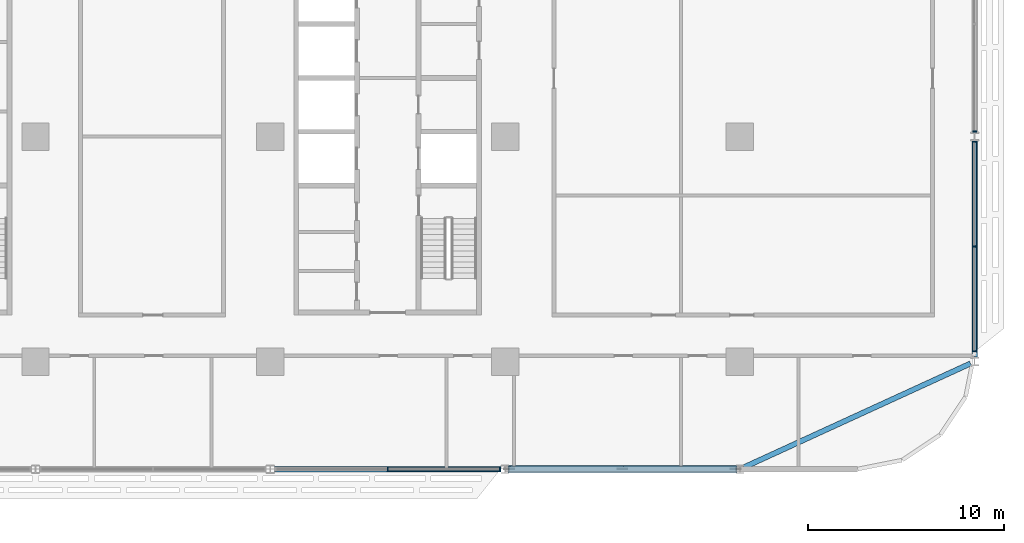
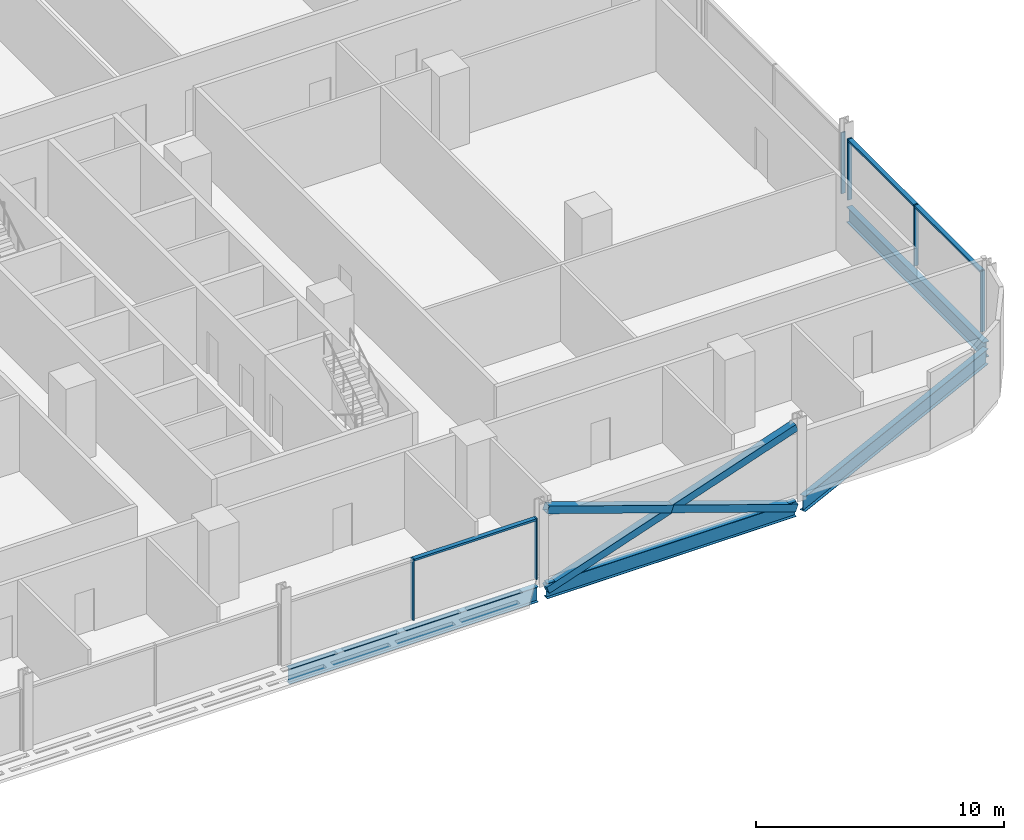
# One storey, part 8 of 29: 12 members, 4 beams, 3 elements without a shape of their own.
"""IFC4 building model written with IfcOpenShell, lengths in metres."""

from ifc_helpers import new_model, si_unit, direction, frame, origin, origin_2d, place, context, subcontext, project, spatial, rectangle, hollow_rectangle, i_section, extrude, material, material_profile, profile_set, type_object, element, aggregate, save


model = new_model("IFC4")

# Units and contexts
model_context = context("Model", 3, precision=1e-05, world=origin(), true_north=direction((0.0, 1.0)))
body_context = subcontext(model_context, "Body", "Model", "MODEL_VIEW")
ifc_project = project(units=[si_unit("LENGTHUNIT", "METRE"), si_unit("AREAUNIT", "SQUARE_METRE"), si_unit("VOLUMEUNIT", "CUBIC_METRE"), si_unit("PLANEANGLEUNIT", "RADIAN"), si_unit("MASSUNIT", "GRAM", prefix="KILO")], contexts=[model_context])

# Site, building, storey
site_placement = place(None, origin())
site = spatial("IfcSite", under=ifc_project, at=site_placement, CompositionType="ELEMENT")
building_placement = place(site_placement, origin())
building = spatial("IfcBuilding", under=site, at=building_placement, Name="Mahtab Terrace Research Tower", CompositionType="ELEMENT")
storey_placement = place(building_placement, frame((0.0, 0.0, 88.89990234375)))
storey = spatial("IfcBuildingStorey", under=building, at=storey_placement, Name="L20", CompositionType="ELEMENT", Elevation=88.89990234375)

# Members
ifc_material_1 = material(Name="Steel ASTM A500 Gr C", Category="steel")
ifc_material_profile_1 = material_profile(ifc_material_1, hollow_rectangle(XDim=0.355712890625, YDim=0.355712890625, WallThickness=0.01904296875, at=origin_2d()), Name="HSS14X14X3/4")
ifc_profile_set_1 = profile_set([ifc_material_profile_1], Name="Steel ASTM A500 Gr C")
member_type_1 = type_object("IfcMemberType", Name="HSS 14x14x3/4 brace XB141434", PredefinedType="BRACE", material=ifc_profile_set_1)
member_1_placement = place(storey_placement, frame((30.20947265625, -17.0, -0.646728515625), z_axis=(0.946292853795, 0.0, 0.323310740397), x_axis=(0.0, 1.0, 0.0)))
element("IfcMember", 1, at=member_1_placement, inside=storey, type_object=member_type_1, Name="Exoskeleton brace L20 18 a", PredefinedType="BRACE", context=body_context, shape_type="SweptSolid", body=[
    extrude(hollow_rectangle(XDim=0.355712890625, YDim=0.355712890625, WallThickness=0.01904296875, at=origin_2d()), origin(), (0.0, 0.0, 1.0), 12.23828125),
])
for number, where, z_axis, x_axis, name in (
    (2, (41.79052734375, -17.0, -0.646728515625), (-0.946298956945, 0.0, 0.323292876639), (0.0, -1.0, 0.0), "Exoskeleton brace L20 18 b1"),
    (3, (36.0, -17.0, 1.33154296875), (-0.946286750388, 0.0, 0.323328603809), (0.0, -1.0, 0.0), "Exoskeleton brace L20 18 b2"),
):
    element("IfcMember", number, at=place(storey_placement, frame(where, z_axis=z_axis, x_axis=x_axis)), inside=storey, type_object=member_type_1, Name=name, PredefinedType="BRACE", context=body_context, shape_type="SweptSolid", body=[
        extrude(hollow_rectangle(XDim=0.355712890625, YDim=0.355712890625, WallThickness=0.01904296875, at=origin_2d()), origin(), (0.0, 0.0, 1.0), 6.119140625),
    ])

# Curtain wall, members
ifc_material_2 = material(Name="Laboratory ribbon curtain wall")
curtain_wall_type = type_object("IfcCurtainWallType", Name="Laboratory ribbon curtain wall", PredefinedType="NOTDEFINED", material=ifc_material_2)
curtain_wall_1_placement = place(storey_placement, origin())
curtain_wall_1 = element("IfcCurtainWall", 4, at=curtain_wall_1_placement, inside=storey, type_object=curtain_wall_type, Name="EN.L20.13.28", PredefinedType="NOTDEFINED")
ifc_material_3 = material(Name="Natural anodised aluminium", Category="aluminium")
ifc_material_profile_2 = material_profile(ifc_material_3, rectangle(XDim=0.199951171875, YDim=0.06494140625, at=origin_2d()), Name="MULLION 65x200")
ifc_profile_set_2 = profile_set([ifc_material_profile_2], Name="Natural anodised aluminium")
member_type_2 = type_object("IfcMemberType", Name="Laboratory ribbon curtain wall mullion", PredefinedType="MULLION", material=ifc_profile_set_2)
member_2_placement = place(storey_placement, frame((24.0, -17.0, 0.0), z_axis=(0.0, 0.0, 1.0), x_axis=(0.0, 1.0, 0.0)))
member_2 = element("IfcMember", 5, at=member_2_placement, type_object=member_type_2, Name="CWL-3 mullion 2", PredefinedType="MULLION", context=body_context, shape_type="SweptSolid", body=[
    extrude(rectangle(XDim=0.199951171875, YDim=0.06494140625, at=origin_2d()), origin(), (0.0, 0.0, 1.0), 3.003173828125),
])
member_3_placement = place(storey_placement, frame((29.739501953125, -17.0, 0.0), z_axis=(0.0, 0.0, 1.0), x_axis=(0.0, 1.0, 0.0)))
member_3 = element("IfcMember", 6, at=member_3_placement, type_object=member_type_2, Name="CWL-3 mullion 3", PredefinedType="MULLION", context=body_context, shape_type="SweptSolid", body=[
    extrude(rectangle(XDim=0.199951171875, YDim=0.06494140625, at=origin_2d()), origin(), (0.0, 0.0, 1.0), 3.003173828125),
])

curtain_wall_2_placement = place(storey_placement, origin())
curtain_wall_2 = element("IfcCurtainWall", 7, at=curtain_wall_2_placement, inside=storey, type_object=curtain_wall_type, Name="EN.L20.18.36", PredefinedType="NOTDEFINED")
member_4_placement = place(storey_placement, frame((54.0, -10.967529296875, 0.0), z_axis=(0.0, 0.0, 1.0), x_axis=(-1.0, 0.0, 0.0)))
member_4 = element("IfcMember", 8, at=member_4_placement, type_object=member_type_2, Name="CWL-3 mullion 1", PredefinedType="MULLION", context=body_context, shape_type="SweptSolid", body=[
    extrude(rectangle(XDim=0.199951171875, YDim=0.06494140625, at=origin_2d()), origin(), (0.0, 0.0, 1.0), 3.003173828125),
])
member_5_placement = place(storey_placement, frame((54.0, -5.614013671875, 0.0), z_axis=(0.0, 0.0, 1.0), x_axis=(-1.0, 0.0, 0.0)))
member_5 = element("IfcMember", 9, at=member_5_placement, type_object=member_type_2, Name="CWL-3 mullion 2", PredefinedType="MULLION", context=body_context, shape_type="SweptSolid", body=[
    extrude(rectangle(XDim=0.199951171875, YDim=0.06494140625, at=origin_2d()), origin(), (0.0, 0.0, 1.0), 3.003173828125),
])
member_6_placement = place(storey_placement, frame((54.0, -0.260498046875, 0.0), z_axis=(0.0, 0.0, 1.0), x_axis=(-1.0, 0.0, 0.0)))
member_6 = element("IfcMember", 10, at=member_6_placement, type_object=member_type_2, Name="CWL-3 mullion 3", PredefinedType="MULLION", context=body_context, shape_type="SweptSolid", body=[
    extrude(rectangle(XDim=0.199951171875, YDim=0.06494140625, at=origin_2d()), origin(), (0.0, 0.0, 1.0), 3.003173828125),
])

# Curtain wall, member
curtain_wall_3_placement = place(storey_placement, origin())
curtain_wall_3 = element("IfcCurtainWall", 11, at=curtain_wall_3_placement, inside=storey, type_object=curtain_wall_type, Name="EN.L20.18.37", PredefinedType="NOTDEFINED")
member_7_placement = place(storey_placement, frame((54.0, 0.260498046875, 0.0), z_axis=(0.0, 0.0, 1.0), x_axis=(-1.0, 0.0, 0.0)))
member_7 = element("IfcMember", 12, at=member_7_placement, type_object=member_type_2, Name="CWL-3 mullion 1", PredefinedType="MULLION", context=body_context, shape_type="SweptSolid", body=[
    extrude(rectangle(XDim=0.199951171875, YDim=0.06494140625, at=origin_2d()), origin(), (0.0, 0.0, 1.0), 3.003173828125),
])
aggregate(curtain_wall_3, [member_7])

# Member
ifc_material_profile_3 = material_profile(ifc_material_3, rectangle(XDim=0.199951171875, YDim=0.10009765625, at=origin_2d()), Name="TRANSOM 100x200")
ifc_profile_set_3 = profile_set([ifc_material_profile_3], Name="Natural anodised aluminium")
member_type_3 = type_object("IfcMemberType", Name="Laboratory ribbon curtain wall transom", PredefinedType="USERDEFINED", material=ifc_profile_set_3)
member_8_placement = place(storey_placement, frame((24.032470703125, -17.0, 2.953125), z_axis=(1.0, 0.0, 0.0), x_axis=(0.0, 1.0, 0.0)))
member_8 = element("IfcMember", 13, at=member_8_placement, type_object=member_type_3, Name="CWL-3 transom 2", ObjectType="TRANSOM", PredefinedType="USERDEFINED", context=body_context, shape_type="SweptSolid", body=[
    extrude(rectangle(XDim=0.199951171875, YDim=0.10009765625, at=origin_2d()), origin(), (0.0, 0.0, 1.0), 5.674560546875),
])

aggregate(curtain_wall_1, [member_2, member_3, member_8])

member_9_placement = place(storey_placement, frame((54.0, -10.93505859375, 2.953125), z_axis=(0.0, 1.0, 0.0), x_axis=(-1.0, 0.0, 0.0)))
member_9 = element("IfcMember", 14, at=member_9_placement, type_object=member_type_3, Name="CWL-3 transom 1", ObjectType="TRANSOM", PredefinedType="USERDEFINED", context=body_context, shape_type="SweptSolid", body=[
    extrude(rectangle(XDim=0.199951171875, YDim=0.10009765625, at=origin_2d()), origin(), (0.0, 0.0, 1.0), 5.28857421875),
])

member_10_placement = place(storey_placement, frame((54.0, -5.58154296875, 2.953125), z_axis=(0.0, 1.0, 0.0), x_axis=(-1.0, 0.0, 0.0)))
member_10 = element("IfcMember", 15, at=member_10_placement, type_object=member_type_3, Name="CWL-3 transom 2", ObjectType="TRANSOM", PredefinedType="USERDEFINED", context=body_context, shape_type="SweptSolid", body=[
    extrude(rectangle(XDim=0.199951171875, YDim=0.10009765625, at=origin_2d()), origin(), (0.0, 0.0, 1.0), 5.28857421875),
])

aggregate(curtain_wall_2, [member_4, member_5, member_6, member_9, member_10])

# Beams
ifc_material_4 = material(Name="Steel ASTM A992 Gr 50", Category="steel")
ifc_material_profile_4 = material_profile(ifc_material_4, i_section(OverallWidth=0.2666015625, OverallDepth=0.7568359375, WebThickness=0.013916015625, FlangeThickness=0.019287109375, at=origin_2d()), Name="W30X108")
ifc_profile_set_4 = profile_set([ifc_material_profile_4], Name="Steel ASTM A992 Gr 50")
beam_type = type_object("IfcBeamType", Name="W30x108 beam BS30108", PredefinedType="BEAM", material=ifc_profile_set_4)
for number, where, z_axis, x_axis, name in (
    (16, (18.20947265625, -17.0, -0.71826171875), (1.0, 0.0, 0.0), (0.0, 1.0, 0.0), "Spandrel beam L20 17"),
    (17, (30.20947265625, -17.0, -0.71826171875), (1.0, 0.0, 0.0), (0.0, 1.0, 0.0), "Spandrel beam L20 18"),
):
    element("IfcBeam", number, at=place(storey_placement, frame(where, z_axis=z_axis, x_axis=x_axis)), inside=storey, type_object=beam_type, Name=name, PredefinedType="BEAM", context=body_context, shape_type="SweptSolid", body=[
        extrude(i_section(OverallWidth=0.2666015625, OverallDepth=0.7568359375, WebThickness=0.013916015625, FlangeThickness=0.019287109375, at=origin_2d()), origin(), (0.0, 0.0, 1.0), 11.5810546875),
    ])
beam_1_placement = place(storey_placement, frame((42.20947265625, -16.904052734375, -0.71826171875), z_axis=(0.909061193532, 0.416662629011, 0.0), x_axis=(-0.416662629011, 0.909061193532, 0.0)))
element("IfcBeam", 18, at=beam_1_placement, inside=storey, type_object=beam_type, Name="Spandrel beam L20 19", PredefinedType="BEAM", context=body_context, shape_type="SweptSolid", body=[
    extrude(i_section(OverallWidth=0.2666015625, OverallDepth=0.7568359375, WebThickness=0.013916015625, FlangeThickness=0.019287109375, at=origin_2d()), origin(), (0.0, 0.0, 1.0), 12.739501953125),
])
beam_2_placement = place(storey_placement, frame((54.0, -11.272705078125, -0.71826171875), z_axis=(0.0, 1.0, 0.0), x_axis=(-1.0, 0.0, 0.0)))
element("IfcBeam", 19, at=beam_2_placement, inside=storey, type_object=beam_type, Name="Spandrel beam L20 20", PredefinedType="BEAM", context=body_context, shape_type="SweptSolid", body=[
    extrude(i_section(OverallWidth=0.2666015625, OverallDepth=0.7568359375, WebThickness=0.013916015625, FlangeThickness=0.019287109375, at=origin_2d()), origin(), (0.0, 0.0, 1.0), 11.04541015625),
])

save(model, "model.ifc")
